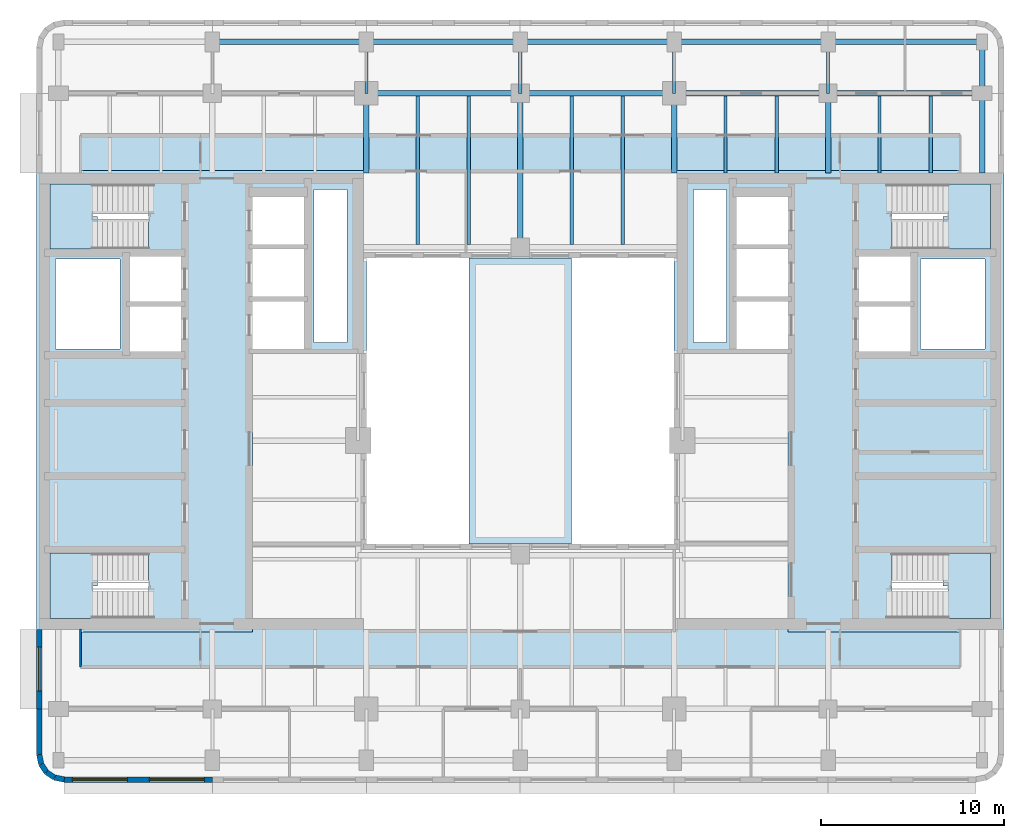
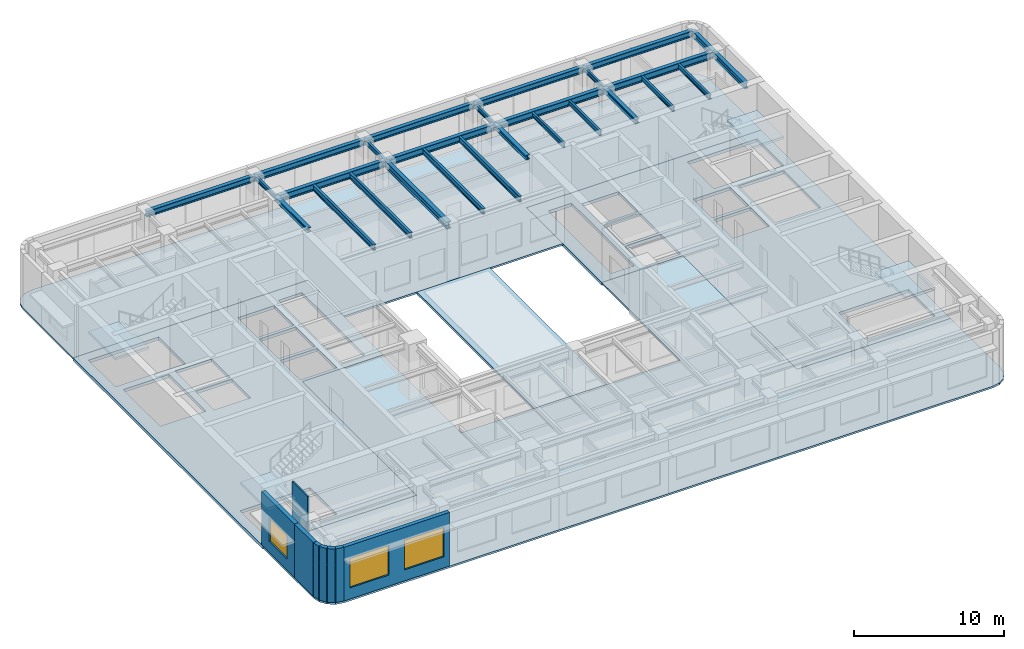
# One storey, part 2 of 11: 27 beams, 9 slabs, 8 walls, 3 windows, 3 openings, 4 elements without a shape of their own.
"""IFC4 building model written with IfcOpenShell, lengths in metres."""

from ifc_helpers import new_model, si_unit, direction, frame, frame_2d, origin, origin_2d, place, context, subcontext, project, spatial, polyline, rectangle, i_section, outline, extrude, material, layer, layer_set, material_profile, profile_set, type_object, element, fill, aggregate, save


model = new_model("IFC4")

# Units and contexts
model_context = context("Model", 3, precision=1e-05, world=origin(), true_north=direction((0.0, 1.0)))
body_context = subcontext(model_context, "Body", "Model", "MODEL_VIEW")
ifc_project = project(units=[si_unit("LENGTHUNIT", "METRE"), si_unit("AREAUNIT", "SQUARE_METRE"), si_unit("VOLUMEUNIT", "CUBIC_METRE"), si_unit("PLANEANGLEUNIT", "RADIAN"), si_unit("MASSUNIT", "GRAM", prefix="KILO")], contexts=[model_context])

# Site, building, storey
site_placement = place(None, origin())
site = spatial("IfcSite", under=ifc_project, at=site_placement, CompositionType="ELEMENT")
building_placement = place(site_placement, origin())
building = spatial("IfcBuilding", under=site, at=building_placement, Name="Claustro Exchange Tower", CompositionType="ELEMENT")
storey_placement = place(building_placement, frame((0.0, 0.0, 254.699951171875)))
storey = spatial("IfcBuildingStorey", under=building, at=storey_placement, Name="L58", CompositionType="ELEMENT", Elevation=254.699951171875)

# Beams
ifc_material_1 = material(Name="Steel S355", Category="steel")
ifc_material_profile_1 = material_profile(ifc_material_1, i_section(OverallWidth=0.169921875, OverallDepth=0.360107421875, WebThickness=0.008056640625, FlangeThickness=0.0126953125, FilletRadius=0.01806640625, at=origin_2d()), Name="IPE 360")
ifc_profile_set_1 = profile_set([ifc_material_profile_1], Name="Steel S355")
beam_type_1 = type_object("IfcBeamType", Name="B16 IPE 360 short-span beam", PredefinedType="BEAM", material=ifc_profile_set_1)
for number, where, z_axis, x_axis, name in (
    (1, (16.800048828125, 42.0, 4.170166015625), (0.0, 1.0, 0.0), (-1.0, 0.0, 0.0), "Beam B16 L59"),
    (2, (25.199951171875, 42.0, 4.170166015625), (0.0, 1.0, 0.0), (-1.0, 0.0, 0.0), "Beam B16 L59"),
    (3, (33.60009765625, 42.0, 4.170166015625), (0.0, 1.0, 0.0), (-1.0, 0.0, 0.0), "Beam B16 L59"),
    (4, (42.0, 42.0, 4.170166015625), (0.0, 1.0, 0.0), (-1.0, 0.0, 0.0), "Beam B16 L59"),
):
    element("IfcBeam", number, at=place(storey_placement, frame(where, z_axis=z_axis, x_axis=x_axis)), inside=storey, type_object=beam_type_1, Name=name, PredefinedType="BEAM", context=body_context, shape_type="SweptSolid", body=[
        extrude(i_section(OverallWidth=0.169921875, OverallDepth=0.360107421875, WebThickness=0.008056640625, FlangeThickness=0.0126953125, FilletRadius=0.01806640625, at=origin_2d()), origin(), (0.0, 0.0, 1.0), 2.800048828125),
    ])
for number, where, z_axis, x_axis, name in (
    (5, (36.39990234375, 37.64990234375, 4.170166015625), (0.0, 1.0, 0.0), (-1.0, 0.0, 0.0), "Beam B16 L59"),
    (6, (39.199951171875, 37.64990234375, 4.170166015625), (0.0, 1.0, 0.0), (-1.0, 0.0, 0.0), "Beam B16 L59"),
    (7, (44.800048828125, 37.64990234375, 4.170166015625), (0.0, 1.0, 0.0), (-1.0, 0.0, 0.0), "Beam B16 L59"),
    (8, (47.60009765625, 37.64990234375, 4.170166015625), (0.0, 1.0, 0.0), (-1.0, 0.0, 0.0), "Beam B16 L59"),
):
    element("IfcBeam", number, at=place(storey_placement, frame(where, z_axis=z_axis, x_axis=x_axis)), inside=storey, type_object=beam_type_1, Name=name, PredefinedType="BEAM", context=body_context, shape_type="SweptSolid", body=[
        extrude(i_section(OverallWidth=0.169921875, OverallDepth=0.360107421875, WebThickness=0.008056640625, FlangeThickness=0.0126953125, FilletRadius=0.01806640625, at=origin_2d()), origin(), (0.0, 0.0, 1.0), 4.2001953125),
    ])
ifc_material_2 = material(Name="Steel S355", Category="steel")
ifc_material_profile_2 = material_profile(ifc_material_2, i_section(OverallWidth=0.300048828125, OverallDepth=0.550048828125, WebThickness=0.014892578125, FlangeThickness=0.029052734375, FilletRadius=0.027099609375, at=origin_2d()), Name="HE 550 B")
ifc_profile_set_2 = profile_set([ifc_material_profile_2], Name="Steel S355")
beam_type_2 = type_object("IfcBeamType", Name="B17 HE 550 B floor girder", PredefinedType="BEAM", material=ifc_profile_set_2)
for number, where, z_axis, x_axis, name in (
    (9, (25.199951171875, 33.60009765625, 4.074951171875), (0.0, 1.0, 0.0), (-1.0, 0.0, 0.0), "Beam B17 L59"),
    (10, (16.800048828125, 42.0, 4.074951171875), (1.0, 0.0, 0.0), (0.0, 1.0, 0.0), "Beam B17 L59"),
):
    element("IfcBeam", number, at=place(storey_placement, frame(where, z_axis=z_axis, x_axis=x_axis)), inside=storey, type_object=beam_type_2, Name=name, PredefinedType="BEAM", context=body_context, shape_type="SweptSolid", body=[
        extrude(i_section(OverallWidth=0.300048828125, OverallDepth=0.550048828125, WebThickness=0.014892578125, FlangeThickness=0.029052734375, FilletRadius=0.027099609375, at=origin_2d()), origin(), (0.0, 0.0, 1.0), 8.39990234375),
    ])
beam_1_placement = place(storey_placement, frame((25.199951171875, 42.0, 4.074951171875), z_axis=(1.0, 0.0, 0.0), x_axis=(0.0, 1.0, 0.0)))
element("IfcBeam", 11, at=beam_1_placement, inside=storey, type_object=beam_type_2, Name="Beam B17 L59", PredefinedType="BEAM", context=body_context, shape_type="SweptSolid", body=[
    extrude(i_section(OverallWidth=0.300048828125, OverallDepth=0.550048828125, WebThickness=0.014892578125, FlangeThickness=0.029052734375, FilletRadius=0.027099609375, at=origin_2d()), origin(), (0.0, 0.0, 1.0), 8.400146484375),
])
for number, where, z_axis, x_axis, name in (
    (12, (33.60009765625, 42.0, 4.074951171875), (1.0, 0.0, 0.0), (0.0, 1.0, 0.0), "Beam B17 L59"),
    (13, (42.0, 42.0, 4.074951171875), (1.0, 0.0, 0.0), (0.0, 1.0, 0.0), "Beam B17 L59"),
):
    element("IfcBeam", number, at=place(storey_placement, frame(where, z_axis=z_axis, x_axis=x_axis)), inside=storey, type_object=beam_type_2, Name=name, PredefinedType="BEAM", context=body_context, shape_type="SweptSolid", body=[
        extrude(i_section(OverallWidth=0.300048828125, OverallDepth=0.550048828125, WebThickness=0.014892578125, FlangeThickness=0.029052734375, FilletRadius=0.027099609375, at=origin_2d()), origin(), (0.0, 0.0, 1.0), 8.39990234375),
    ])
ifc_material_3 = material(Name="Steel S355", Category="steel")
ifc_material_profile_3 = material_profile(ifc_material_3, i_section(OverallWidth=0.300048828125, OverallDepth=0.360107421875, WebThickness=0.012451171875, FlangeThickness=0.0224609375, FilletRadius=0.027099609375, at=origin_2d()), Name="HE 360 B")
ifc_profile_set_3 = profile_set([ifc_material_profile_3], Name="Steel S355")
beam_type_3 = type_object("IfcBeamType", Name="B29 HE 360 B column to core link beam", PredefinedType="BEAM", material=ifc_profile_set_3)
for number, where, z_axis, x_axis, name in (
    (14, (16.800048828125, 37.64990234375, 4.170166015625), (0.0, 1.0, 0.0), (-1.0, 0.0, 0.0), "Beam B29 L59"),
    (15, (33.60009765625, 37.64990234375, 4.170166015625), (0.0, 1.0, 0.0), (-1.0, 0.0, 0.0), "Beam B29 L59"),
    (16, (42.0, 37.64990234375, 4.170166015625), (0.0, 1.0, 0.0), (-1.0, 0.0, 0.0), "Beam B29 L59"),
):
    element("IfcBeam", number, at=place(storey_placement, frame(where, z_axis=z_axis, x_axis=x_axis)), inside=storey, type_object=beam_type_3, Name=name, PredefinedType="BEAM", context=body_context, shape_type="SweptSolid", body=[
        extrude(i_section(OverallWidth=0.300048828125, OverallDepth=0.360107421875, WebThickness=0.012451171875, FlangeThickness=0.0224609375, FilletRadius=0.027099609375, at=origin_2d()), origin(), (0.0, 0.0, 1.0), 4.35009765625),
    ])
ifc_material_4 = material(Name="Steel S355", Category="steel")
ifc_material_profile_4 = material_profile(ifc_material_4, i_section(OverallWidth=0.18994140625, OverallDepth=0.449951171875, WebThickness=0.009521484375, FlangeThickness=0.0146484375, FilletRadius=0.02099609375, at=origin_2d()), Name="IPE 450")
ifc_profile_set_4 = profile_set([ifc_material_profile_4], Name="Steel S355")
beam_type_4 = type_object("IfcBeamType", Name="B8 IPE 450 secondary beam", PredefinedType="BEAM", material=ifc_profile_set_4)
for number, where, z_axis, x_axis, name in (
    (17, (19.60009765625, 33.75, 4.125), (0.0, 1.0, 0.0), (-1.0, 0.0, 0.0), "Beam B8 L59"),
    (18, (22.39990234375, 33.75, 4.125), (0.0, 1.0, 0.0), (-1.0, 0.0, 0.0), "Beam B8 L59"),
    (19, (28.0, 33.75, 4.125), (0.0, 1.0, 0.0), (-1.0, 0.0, 0.0), "Beam B8 L59"),
    (20, (30.800048828125, 33.75, 4.125), (0.0, 1.0, 0.0), (-1.0, 0.0, 0.0), "Beam B8 L59"),
):
    element("IfcBeam", number, at=place(storey_placement, frame(where, z_axis=z_axis, x_axis=x_axis)), inside=storey, type_object=beam_type_4, Name=name, PredefinedType="BEAM", context=body_context, shape_type="SweptSolid", body=[
        extrude(i_section(OverallWidth=0.18994140625, OverallDepth=0.449951171875, WebThickness=0.009521484375, FlangeThickness=0.0146484375, FilletRadius=0.02099609375, at=origin_2d()), origin(), (0.0, 0.0, 1.0), 8.10009765625),
    ])
ifc_material_5 = material(Name="Steel S355", Category="steel")
ifc_material_profile_5 = material_profile(ifc_material_5, i_section(OverallWidth=0.300048828125, OverallDepth=0.489990234375, WebThickness=0.011962890625, FlangeThickness=0.02294921875, FilletRadius=0.027099609375, at=origin_2d()), Name="HE 500 A")
ifc_profile_set_5 = profile_set([ifc_material_profile_5], Name="Steel S355")
beam_type_5 = type_object("IfcBeamType", Name="B9 HE 500 A spandrel edge girder", PredefinedType="SPANDREL", material=ifc_profile_set_5)
beam_2_placement = place(storey_placement, frame((50.39990234375, 37.64990234375, 4.10498046875), z_axis=(0.0, 1.0, 0.0), x_axis=(-1.0, 0.0, 0.0)))
element("IfcBeam", 21, at=beam_2_placement, inside=storey, type_object=beam_type_5, Name="Beam B9 L59", PredefinedType="SPANDREL", context=body_context, shape_type="SweptSolid", body=[
    extrude(i_section(OverallWidth=0.300048828125, OverallDepth=0.489990234375, WebThickness=0.011962890625, FlangeThickness=0.02294921875, FilletRadius=0.027099609375, at=origin_2d()), origin(), (0.0, 0.0, 1.0), 4.35009765625),
])
beam_3_placement = place(storey_placement, frame((50.39990234375, 42.0, 4.10498046875), z_axis=(0.0, 1.0, 0.0), x_axis=(-1.0, 0.0, 0.0)))
element("IfcBeam", 22, at=beam_3_placement, inside=storey, type_object=beam_type_5, Name="Beam B9 L59", PredefinedType="SPANDREL", context=body_context, shape_type="SweptSolid", body=[
    extrude(i_section(OverallWidth=0.300048828125, OverallDepth=0.489990234375, WebThickness=0.011962890625, FlangeThickness=0.02294921875, FilletRadius=0.027099609375, at=origin_2d()), origin(), (0.0, 0.0, 1.0), 2.800048828125),
])
beam_4_placement = place(storey_placement, frame((8.39990234375, 44.800048828125, 4.10498046875), z_axis=(1.0, 0.0, 0.0), x_axis=(0.0, 1.0, 0.0)))
element("IfcBeam", 23, at=beam_4_placement, inside=storey, type_object=beam_type_5, Name="Beam B9 L59", PredefinedType="SPANDREL", context=body_context, shape_type="SweptSolid", body=[
    extrude(i_section(OverallWidth=0.300048828125, OverallDepth=0.489990234375, WebThickness=0.011962890625, FlangeThickness=0.02294921875, FilletRadius=0.027099609375, at=origin_2d()), origin(), (0.0, 0.0, 1.0), 8.400146484375),
])
beam_5_placement = place(storey_placement, frame((16.800048828125, 44.800048828125, 4.10498046875), z_axis=(1.0, 0.0, 0.0), x_axis=(0.0, 1.0, 0.0)))
element("IfcBeam", 24, at=beam_5_placement, inside=storey, type_object=beam_type_5, Name="Beam B9 L59", PredefinedType="SPANDREL", context=body_context, shape_type="SweptSolid", body=[
    extrude(i_section(OverallWidth=0.300048828125, OverallDepth=0.489990234375, WebThickness=0.011962890625, FlangeThickness=0.02294921875, FilletRadius=0.027099609375, at=origin_2d()), origin(), (0.0, 0.0, 1.0), 8.39990234375),
])
beam_6_placement = place(storey_placement, frame((25.199951171875, 44.800048828125, 4.10498046875), z_axis=(1.0, 0.0, 0.0), x_axis=(0.0, 1.0, 0.0)))
element("IfcBeam", 25, at=beam_6_placement, inside=storey, type_object=beam_type_5, Name="Beam B9 L59", PredefinedType="SPANDREL", context=body_context, shape_type="SweptSolid", body=[
    extrude(i_section(OverallWidth=0.300048828125, OverallDepth=0.489990234375, WebThickness=0.011962890625, FlangeThickness=0.02294921875, FilletRadius=0.027099609375, at=origin_2d()), origin(), (0.0, 0.0, 1.0), 8.400146484375),
])
for number, where, z_axis, x_axis, name in (
    (26, (33.60009765625, 44.800048828125, 4.10498046875), (1.0, 0.0, 0.0), (0.0, 1.0, 0.0), "Beam B9 L59"),
    (27, (42.0, 44.800048828125, 4.10498046875), (1.0, 0.0, 0.0), (0.0, 1.0, 0.0), "Beam B9 L59"),
):
    element("IfcBeam", number, at=place(storey_placement, frame(where, z_axis=z_axis, x_axis=x_axis)), inside=storey, type_object=beam_type_5, Name=name, PredefinedType="SPANDREL", context=body_context, shape_type="SweptSolid", body=[
        extrude(i_section(OverallWidth=0.300048828125, OverallDepth=0.489990234375, WebThickness=0.011962890625, FlangeThickness=0.02294921875, FilletRadius=0.027099609375, at=origin_2d()), origin(), (0.0, 0.0, 1.0), 8.39990234375),
    ])

# Slabs
ifc_material_6 = material(Name="Concrete HA-50 (C50/60)", Category="concrete")
ifc_layer_1 = layer(ifc_material_6, 0.14990234375)
ifc_layer_set_1 = layer_set([ifc_layer_1], Name="Concrete HA-50 (C50/60)")
slab_type_1 = type_object("IfcSlabType", Name="S2 150 composite floor slab", PredefinedType="FLOOR", material=ifc_layer_set_1)
slab_1_placement = place(storey_placement, frame((0.0, 0.0, -0.14990234375)))
element("IfcSlab", 28, at=slab_1_placement, inside=storey, type_object=slab_type_1, Name="Floor slab S2 S L58", PredefinedType="FLOOR", context=body_context, shape_type="SweptSolid", body=[
    extrude(outline(polyline([(-0.27392578125, 4.51416015625), (0.300048828125, 4.39990234375), (50.10009765625, 4.39990234375), (50.674072265625, 4.51416015625), (51.16064453125, 4.83935546875), (51.48583984375, 5.325927734375), (51.60009765625, 5.89990234375), (51.60009765625, 12.60009765625), (39.800048828125, 12.60009765625), (39.800048828125, 27.800048828125), (33.60009765625, 27.800048828125), (33.60009765625, 17.39990234375), (16.800048828125, 17.39990234375), (16.800048828125, 27.800048828125), (10.60009765625, 27.800048828125), (10.60009765625, 12.60009765625), (-1.199951171875, 12.60009765625), (-1.199951171875, 5.89990234375), (-1.085693359375, 5.325927734375), (-0.7607421875, 4.83935546875), (-0.27392578125, 4.51416015625)])), origin(), (0.0, 0.0, 1.0), 0.14990234375),
])
slab_2_placement = place(storey_placement, frame((0.0, 0.0, -0.14990234375)))
element("IfcSlab", 29, at=slab_2_placement, inside=storey, type_object=slab_type_1, Name="Floor slab S2 N L58", PredefinedType="FLOOR", context=body_context, shape_type="SweptSolid", body=[
    extrude(outline(polyline([(16.800048828125, 37.800048828125), (16.800048828125, 33.0), (33.60009765625, 33.0), (33.60009765625, 37.800048828125), (51.60009765625, 37.800048828125), (51.60009765625, 44.5), (51.48583984375, 45.073974609375), (51.16064453125, 45.560791015625), (50.674072265625, 45.8857421875), (50.10009765625, 46.0), (0.300048828125, 46.0), (-0.27392578125, 45.8857421875), (-0.7607421875, 45.560791015625), (-1.085693359375, 45.073974609375), (-1.199951171875, 44.5), (-1.199951171875, 37.800048828125), (16.800048828125, 37.800048828125)])), origin(), (0.0, 0.0, 1.0), 0.14990234375),
])
ifc_material_7 = material(Name="Concrete HA-50 (C50/60)", Category="concrete")
ifc_layer_2 = layer(ifc_material_7, 0.199951171875)
ifc_layer_set_2 = layer_set([ifc_layer_2], Name="Concrete HA-50 (C50/60)")
slab_type_2 = type_object("IfcSlabType", Name="S6 200 roof slab", PredefinedType="ROOF", material=ifc_layer_set_2)
slab_3_placement = place(storey_placement, frame((0.0, 0.0, -0.199951171875)))
element("IfcSlab", 30, at=slab_3_placement, inside=storey, type_object=slab_type_2, Name="Sky bridge roof slab S6 over L57", PredefinedType="ROOF", context=body_context, shape_type="SweptSolid", body=[
    extrude(outline(polyline([(28.0, 17.39990234375), (28.0, 33.0), (22.39990234375, 33.0), (22.39990234375, 17.39990234375), (28.0, 17.39990234375)])), origin(), (0.0, 0.0, 1.0), 0.199951171875),
])
ifc_material_8 = material(Name="Concrete HA-50 (C50/60)", Category="concrete")
ifc_layer_3 = layer(ifc_material_8, 0.25)
ifc_layer_set_3 = layer_set([ifc_layer_3], Name="Concrete HA-50 (C50/60)")
slab_type_3 = type_object("IfcSlabType", Name="S7 250 core floor slab", PredefinedType="FLOOR", material=ifc_layer_set_3)
slab_4_placement = place(storey_placement, frame((0.0, 0.0, -0.25)))
element("IfcSlab", 31, at=slab_4_placement, inside=storey, type_object=slab_type_3, Name="Core floor slab S7 W core L58", PredefinedType="FLOOR", context=body_context, shape_type="SweptSolid", body=[
    extrude(outline(polyline([(-1.199951171875, 37.800048828125), (-1.199951171875, 12.60009765625), (10.60009765625, 12.60009765625), (10.60009765625, 27.800048828125), (16.800048828125, 27.800048828125), (16.800048828125, 37.800048828125), (-1.199951171875, 37.800048828125)]), holes=[polyline([(13.949951171875, 36.75), (15.75, 36.75), (15.75, 28.39990234375), (13.949951171875, 28.39990234375), (13.949951171875, 36.75)]), polyline([(10.60009765625, 30.64990234375), (13.39990234375, 30.64990234375), (13.39990234375, 28.050048828125), (10.60009765625, 28.050048828125), (10.60009765625, 30.64990234375)]), polyline([(10.60009765625, 33.5), (13.39990234375, 33.5), (13.39990234375, 30.89990234375), (10.60009765625, 30.89990234375), (10.60009765625, 33.5)]), polyline([(13.39990234375, 36.35009765625), (13.39990234375, 33.75), (10.60009765625, 33.75), (10.60009765625, 36.35009765625), (13.39990234375, 36.35009765625)]), polyline([(3.89990234375, 30.375), (6.699951171875, 30.375), (6.699951171875, 27.89990234375), (3.89990234375, 27.89990234375), (3.89990234375, 30.375)]), polyline([(3.89990234375, 33.10009765625), (6.699951171875, 33.10009765625), (6.699951171875, 30.625), (3.89990234375, 30.625), (3.89990234375, 33.10009765625)]), polyline([(-0.449951171875, 13.35009765625), (-0.449951171875, 15.125), (-0.449951171875, 16.89990234375), (4.9150390625, 16.89990234375), (4.9150390625, 15.125), (4.919921875, 15.125), (4.919921875, 13.35009765625), (-0.449951171875, 13.35009765625)]), polyline([(-0.449951171875, 37.050048828125), (4.919921875, 37.050048828125), (4.919921875, 35.27490234375), (4.9150390625, 35.27490234375), (4.9150390625, 33.5), (-0.449951171875, 33.5), (-0.449951171875, 35.27490234375), (-0.449951171875, 37.050048828125)]), polyline([(-0.14990234375, 32.949951171875), (3.35009765625, 32.949951171875), (3.35009765625, 28.050048828125), (-0.14990234375, 28.050048828125), (-0.14990234375, 32.949951171875)])]), origin(), (0.0, 0.0, 1.0), 0.25),
])
slab_5_placement = place(storey_placement, frame((0.0, 0.0, -0.25)))
element("IfcSlab", 32, at=slab_5_placement, inside=storey, type_object=slab_type_3, Name="Core floor slab S7 E core L58", PredefinedType="FLOOR", context=body_context, shape_type="SweptSolid", body=[
    extrude(outline(polyline([(51.60009765625, 37.800048828125), (33.60009765625, 37.800048828125), (33.60009765625, 27.800048828125), (39.800048828125, 27.800048828125), (39.800048828125, 12.60009765625), (51.60009765625, 12.60009765625), (51.60009765625, 37.800048828125)]), holes=[polyline([(45.47998046875, 15.125), (45.485107421875, 15.125), (45.485107421875, 16.89990234375), (50.85009765625, 16.89990234375), (50.85009765625, 15.125), (50.85009765625, 13.35009765625), (45.47998046875, 13.35009765625), (45.47998046875, 15.125)]), polyline([(45.47998046875, 35.27490234375), (45.47998046875, 37.050048828125), (50.85009765625, 37.050048828125), (50.85009765625, 35.27490234375), (50.85009765625, 33.5), (45.485107421875, 33.5), (45.485107421875, 35.27490234375), (45.47998046875, 35.27490234375)]), polyline([(47.050048828125, 32.949951171875), (50.550048828125, 32.949951171875), (50.550048828125, 28.050048828125), (47.050048828125, 28.050048828125), (47.050048828125, 32.949951171875)]), polyline([(43.699951171875, 30.375), (46.5, 30.375), (46.5, 27.89990234375), (43.699951171875, 27.89990234375), (43.699951171875, 30.375)]), polyline([(43.699951171875, 33.10009765625), (46.5, 33.10009765625), (46.5, 30.625), (43.699951171875, 30.625), (43.699951171875, 33.10009765625)]), polyline([(37.0, 30.64990234375), (39.800048828125, 30.64990234375), (39.800048828125, 28.050048828125), (37.0, 28.050048828125), (37.0, 30.64990234375)]), polyline([(37.0, 33.5), (39.800048828125, 33.5), (39.800048828125, 30.89990234375), (37.0, 30.89990234375), (37.0, 33.5)]), polyline([(39.800048828125, 36.35009765625), (39.800048828125, 33.75), (37.0, 33.75), (37.0, 36.35009765625), (39.800048828125, 36.35009765625)]), polyline([(34.64990234375, 36.75), (36.449951171875, 36.75), (36.449951171875, 28.39990234375), (34.64990234375, 28.39990234375), (34.64990234375, 36.75)])]), origin(), (0.0, 0.0, 1.0), 0.25),
])

# Stair, slab
ifc_material_9 = material(Name="Concrete HA-30 (C30/37), precast", Category="concrete")
stair_type = type_object("IfcStairType", Name="ST2 half-turn stair, 25 risers of 180", PredefinedType="HALF_TURN_STAIR", material=ifc_material_9)
stair_1_placement = place(storey_placement, origin())
stair_1 = element("IfcStair", 33, at=stair_1_placement, inside=storey, type_object=stair_type, Name="Stair STWA L58", PredefinedType="HALF_TURN_STAIR")
ifc_material_10 = material(Name="Concrete HA-30 (C30/37), precast", Category="concrete")
ifc_layer_4 = layer(ifc_material_10, 0.199951171875)
ifc_layer_set_4 = layer_set([ifc_layer_4], Name="Concrete HA-30 (C30/37), precast")
slab_type_4 = type_object("IfcSlabType", Name="S9 200 stair landing", PredefinedType="LANDING", material=ifc_layer_set_4)
slab_6_placement = place(storey_placement, frame((0.0, 0.0, 2.14013671875)))
slab_6 = element("IfcSlab", 34, at=slab_6_placement, type_object=slab_type_4, Name="STWA landing 1", PredefinedType="LANDING", context=body_context, shape_type="SweptSolid", body=[
    extrude(outline(polyline([(1.844970703125, 13.35009765625), (-0.449951171875, 13.35009765625), (-0.449951171875, 16.89990234375), (1.840087890625, 16.89990234375), (1.844970703125, 16.89990234375), (2.1201171875, 16.89990234375), (2.1201171875, 15.125), (1.844970703125, 15.125), (1.844970703125, 13.35009765625)])), origin(), (0.0, 0.0, 1.0), 0.199951171875),
])
aggregate(stair_1, [slab_6])

stair_2_placement = place(storey_placement, origin())
stair_2 = element("IfcStair", 35, at=stair_2_placement, inside=storey, type_object=stair_type, Name="Stair STWB L58", PredefinedType="HALF_TURN_STAIR")
slab_7_placement = place(storey_placement, frame((0.0, 0.0, 2.14013671875)))
slab_7 = element("IfcSlab", 36, at=slab_7_placement, type_object=slab_type_4, Name="STWB landing 1", PredefinedType="LANDING", context=body_context, shape_type="SweptSolid", body=[
    extrude(outline(polyline([(2.1201171875, 35.27490234375), (2.1201171875, 33.5), (1.844970703125, 33.5), (1.840087890625, 33.5), (-0.449951171875, 33.5), (-0.449951171875, 37.050048828125), (1.844970703125, 37.050048828125), (1.844970703125, 35.27490234375), (2.1201171875, 35.27490234375)])), origin(), (0.0, 0.0, 1.0), 0.199951171875),
])
aggregate(stair_2, [slab_7])

stair_3_placement = place(storey_placement, origin())
stair_3 = element("IfcStair", 37, at=stair_3_placement, inside=storey, type_object=stair_type, Name="Stair STEA L58", PredefinedType="HALF_TURN_STAIR")
slab_8_placement = place(storey_placement, frame((0.0, 0.0, 2.14013671875)))
slab_8 = element("IfcSlab", 38, at=slab_8_placement, type_object=slab_type_4, Name="STEA landing 1", PredefinedType="LANDING", context=body_context, shape_type="SweptSolid", body=[
    extrude(outline(polyline([(50.85009765625, 16.89990234375), (50.85009765625, 13.35009765625), (48.554931640625, 13.35009765625), (48.554931640625, 15.125), (48.280029296875, 15.125), (48.280029296875, 16.89990234375), (48.554931640625, 16.89990234375), (48.56005859375, 16.89990234375), (50.85009765625, 16.89990234375)])), origin(), (0.0, 0.0, 1.0), 0.199951171875),
])
aggregate(stair_3, [slab_8])

stair_4_placement = place(storey_placement, origin())
stair_4 = element("IfcStair", 39, at=stair_4_placement, inside=storey, type_object=stair_type, Name="Stair STEB L58", PredefinedType="HALF_TURN_STAIR")
slab_9_placement = place(storey_placement, frame((0.0, 0.0, 2.14013671875)))
slab_9 = element("IfcSlab", 40, at=slab_9_placement, type_object=slab_type_4, Name="STEB landing 1", PredefinedType="LANDING", context=body_context, shape_type="SweptSolid", body=[
    extrude(outline(polyline([(48.280029296875, 33.5), (48.280029296875, 35.27490234375), (48.554931640625, 35.27490234375), (48.554931640625, 37.050048828125), (50.85009765625, 37.050048828125), (50.85009765625, 33.5), (48.56005859375, 33.5), (48.554931640625, 33.5), (48.280029296875, 33.5)])), origin(), (0.0, 0.0, 1.0), 0.199951171875),
])
aggregate(stair_4, [slab_9])

# Wall
ifc_material_11 = material(Name="Laminated glass in aluminium frame", Category="aluminium")
ifc_layer_5 = layer(ifc_material_11, 0.1201171875)
ifc_layer_set_5 = layer_set([ifc_layer_5], Name="Laminated glass in aluminium frame")
wall_type_1 = type_object("IfcWallType", Name="P2 120 glazed partition", PredefinedType="PARTITIONING", material=ifc_layer_set_5)
wall_1_placement = place(storey_placement, frame((1.199951171875, 10.699951171875, 0.0), z_axis=(0.0, 0.0, 1.0), x_axis=(0.0, 1.0, 0.0)))
element("IfcWall", 41, at=wall_1_placement, inside=storey, type_object=wall_type_1, Name="Partition P2 L58", PredefinedType="PARTITIONING", context=body_context, shape_type="SweptSolid", body=[
    extrude(rectangle(XDim=2.052001953125, YDim=0.1201171875, at=frame_2d((1.02587890625, 0.0))), origin(), (0.0, 0.0, 1.0), 4.35009765625),
])

# Wall, openings, windows
ifc_material_12 = material(Name="Concrete HA-40 (C40/50), precast, white cement, acid-etched", Category="concrete")
ifc_layer_6 = layer(ifc_material_12, 0.300048828125)
ifc_layer_set_6 = layer_set([ifc_layer_6], Name="Concrete HA-40 (C40/50), precast, white cement, acid-etched")
wall_type_2 = type_object("IfcWallType", Name="PC1 300 precast concrete pier panel", PredefinedType="SOLIDWALL", material=ifc_layer_set_6)
wall_2_placement = place(storey_placement, frame((8.39990234375, 4.550048828125, 0.0), z_axis=(0.0, 0.0, 1.0), x_axis=(-1.0, 0.0, 0.0)))
wall_2 = element("IfcWall", 42, at=wall_2_placement, inside=storey, type_object=wall_type_2, Name="Precast pier panel PC1 L58", PredefinedType="SOLIDWALL", context=body_context, shape_type="SweptSolid", body=[
    extrude(rectangle(XDim=8.085205078125, YDim=0.300048828125, at=frame_2d((4.04248046875, 0.0))), origin(), (0.0, 0.0, 1.0), 4.35009765625),
])
opening_1_placement = place(wall_2_placement, frame((0.442626953125, 0.0, 0.89990234375)))
opening_1 = element("IfcOpeningElement", 43, at=opening_1_placement, cuts=wall_2, Name="Opening W3", PredefinedType="OPENING", context=body_context, shape_type="SweptSolid", body=[
    extrude(rectangle(XDim=3.0, YDim=2.39990234375, at=frame_2d((1.5, 1.199951171875))), frame((0.0, 0.159912109375, 0.0), z_axis=(0.0, -1.0, 0.0), x_axis=(1.0, 0.0, 0.0)), (0.0, 0.0, 1.0), 0.320068359375),
])
opening_2_placement = place(wall_2_placement, frame((4.642578125, 0.0, 0.89990234375)))
opening_2 = element("IfcOpeningElement", 44, at=opening_2_placement, cuts=wall_2, Name="Opening W3", PredefinedType="OPENING", context=body_context, shape_type="SweptSolid", body=[
    extrude(rectangle(XDim=3.0, YDim=2.39990234375, at=frame_2d((1.5, 1.199951171875))), frame((0.0, 0.159912109375, 0.0), z_axis=(0.0, -1.0, 0.0), x_axis=(1.0, 0.0, 0.0)), (0.0, 0.0, 1.0), 0.320068359375),
])
ifc_material_13 = material(Name="Aluminium frame, clear double glazing", Category="aluminium")
window_type_1 = type_object("IfcWindowType", Name="W3 3000 x 2400 window", PartitioningType="SINGLE_PANEL", PredefinedType="WINDOW", material=ifc_material_13)
window_1_placement = place(opening_1_placement, origin())
window_1 = element("IfcWindow", 45, at=window_1_placement, inside=storey, type_object=window_type_1, Name="Window W3 L58", OverallHeight=2.39990234375, OverallWidth=3.0, PartitioningType="SINGLE_PANEL", PredefinedType="WINDOW", context=body_context, shape_type="SweptSolid", body=[
    extrude(rectangle(XDim=3.0, YDim=2.39990234375, at=frame_2d((1.5, 1.199951171875))), frame((0.0, 0.030029296875, 0.0), z_axis=(0.0, -1.0, 0.0), x_axis=(1.0, 0.0, 0.0)), (0.0, 0.0, 1.0), 0.06005859375),
])
fill(opening_1, window_1)
window_2_placement = place(opening_2_placement, origin())
window_2 = element("IfcWindow", 46, at=window_2_placement, inside=storey, type_object=window_type_1, Name="Window W3 L58", OverallHeight=2.39990234375, OverallWidth=3.0, PartitioningType="SINGLE_PANEL", PredefinedType="WINDOW", context=body_context, shape_type="SweptSolid", body=[
    extrude(rectangle(XDim=3.0, YDim=2.39990234375, at=frame_2d((1.5, 1.199951171875))), frame((0.0, 0.030029296875, 0.0), z_axis=(0.0, -1.0, 0.0), x_axis=(1.0, 0.0, 0.0)), (0.0, 0.0, 1.0), 0.06005859375),
])
fill(opening_2, window_2)

# Walls
wall_3_placement = place(storey_placement, frame((0.314697265625, 4.550048828125, 0.0), z_axis=(0.0, 0.0, 1.0), x_axis=(-0.980788534345, 0.195073962632, 0.0)))
element("IfcWall", 47, at=wall_3_placement, inside=storey, type_object=wall_type_2, Name="Precast pier panel PC1 L58", PredefinedType="SOLIDWALL", context=body_context, shape_type="SweptSolid", body=[
    extrude(rectangle(XDim=0.540771484375, YDim=0.300048828125, at=frame_2d((0.2705078125, 0.0))), origin(), (0.0, 0.0, 1.0), 4.35009765625),
])
for number, where, z_axis, x_axis, name in (
    (48, (-0.215576171875, 4.655517578125, 0.0), (0.0, 0.0, 1.0), (-0.831478144188, 0.555557463938, 0.0), "Precast pier panel PC1 L58"),
    (49, (-0.652587890625, 4.947509765625, 0.0), (0.0, 0.0, 1.0), (-0.555557463938, 0.831478144188, 0.0), "Precast pier panel PC1 L58"),
):
    element("IfcWall", number, at=place(storey_placement, frame(where, z_axis=z_axis, x_axis=x_axis)), inside=storey, type_object=wall_type_2, Name=name, PredefinedType="SOLIDWALL", context=body_context, shape_type="SweptSolid", body=[
        extrude(rectangle(XDim=0.525634765625, YDim=0.300048828125, at=frame_2d((0.2626953125, 0.0))), origin(), (0.0, 0.0, 1.0), 4.35009765625),
    ])
wall_4_placement = place(storey_placement, frame((-0.944580078125, 5.384521484375, 0.0), z_axis=(0.0, 0.0, 1.0), x_axis=(-0.195073962632, 0.980788534345, 0.0)))
element("IfcWall", 50, at=wall_4_placement, inside=storey, type_object=wall_type_2, Name="Precast pier panel PC1 L58", PredefinedType="SOLIDWALL", context=body_context, shape_type="SweptSolid", body=[
    extrude(rectangle(XDim=0.540771484375, YDim=0.300048828125, at=frame_2d((0.2705078125, 0.0))), origin(), (0.0, 0.0, 1.0), 4.35009765625),
])
wall_5_placement = place(storey_placement, frame((-1.050048828125, 5.914794921875, 0.0), z_axis=(0.0, 0.0, 1.0), x_axis=(0.0, 1.0, 0.0)))
element("IfcWall", 51, at=wall_5_placement, inside=storey, type_object=wall_type_2, Name="Precast pier panel PC1 L58", PredefinedType="SOLIDWALL", context=body_context, shape_type="SweptSolid", body=[
    extrude(rectangle(XDim=2.485107421875, YDim=0.300048828125, at=frame_2d((1.24267578125, 0.0))), origin(), (0.0, 0.0, 1.0), 4.35009765625),
])

# Wall, opening, window
wall_6_placement = place(storey_placement, frame((-1.050048828125, 8.39990234375, 0.0), z_axis=(0.0, 0.0, 1.0), x_axis=(0.0, 1.0, 0.0)))
wall_6 = element("IfcWall", 52, at=wall_6_placement, inside=storey, type_object=wall_type_2, Name="Precast pier panel PC1 L58", PredefinedType="SOLIDWALL", context=body_context, shape_type="SweptSolid", body=[
    extrude(rectangle(XDim=4.35009765625, YDim=0.300048828125, at=frame_2d((2.175048828125, 0.0))), origin(), (0.0, 0.0, 1.0), 4.35009765625),
])
opening_3_placement = place(wall_6_placement, frame((0.97509765625, 0.0, 0.89990234375)))
opening_3 = element("IfcOpeningElement", 53, at=opening_3_placement, cuts=wall_6, Name="Opening W2", PredefinedType="OPENING", context=body_context, shape_type="SweptSolid", body=[
    extrude(rectangle(XDim=2.39990234375, YDim=1.89990234375, at=frame_2d((1.199951171875, 0.949951171875))), frame((0.0, 0.159912109375, 0.0), z_axis=(0.0, -1.0, 0.0), x_axis=(1.0, 0.0, 0.0)), (0.0, 0.0, 1.0), 0.320068359375),
])
ifc_material_14 = material(Name="Aluminium frame, clear double glazing", Category="aluminium")
window_type_2 = type_object("IfcWindowType", Name="W2 2400 x 1900 window", PartitioningType="SINGLE_PANEL", PredefinedType="WINDOW", material=ifc_material_14)
window_3_placement = place(opening_3_placement, origin())
window_3 = element("IfcWindow", 54, at=window_3_placement, inside=storey, type_object=window_type_2, Name="Window W2 L58", OverallHeight=1.89990234375, OverallWidth=2.39990234375, PartitioningType="SINGLE_PANEL", PredefinedType="WINDOW", context=body_context, shape_type="SweptSolid", body=[
    extrude(rectangle(XDim=2.39990234375, YDim=1.89990234375, at=frame_2d((1.199951171875, 0.949951171875))), frame((0.0, 0.030029296875, 0.0), z_axis=(0.0, -1.0, 0.0), x_axis=(1.0, 0.0, 0.0)), (0.0, 0.0, 1.0), 0.06005859375),
])
fill(opening_3, window_3)

save(model, "model.ifc")
